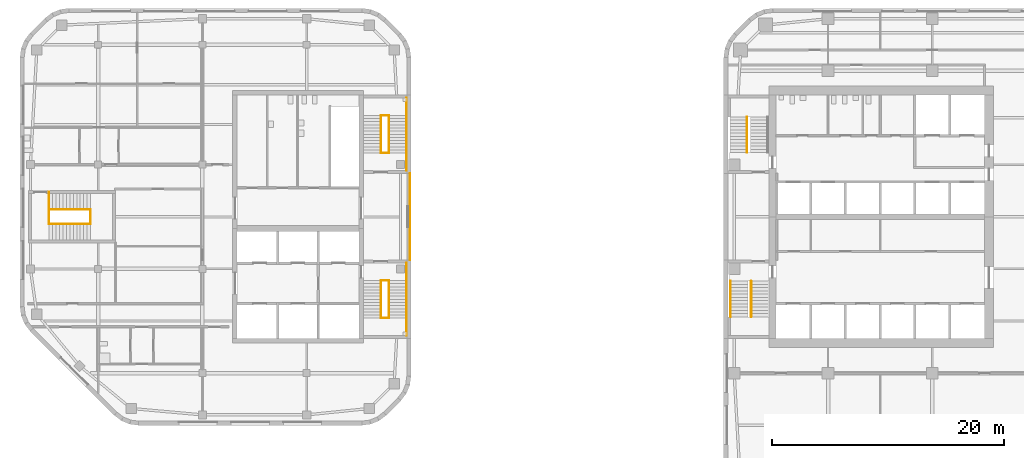
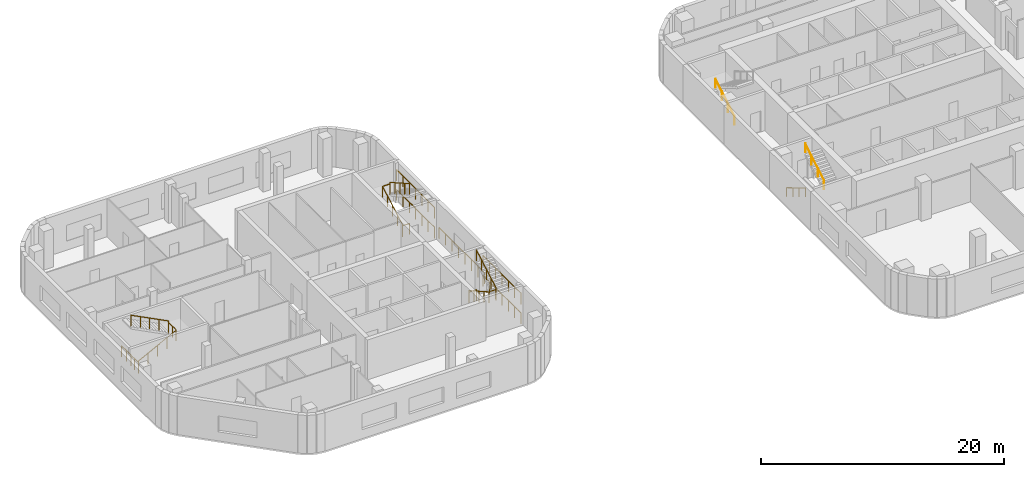
# One storey, part 12 of 14: 21 railings, 2 elements without a shape of their own.
"""IFC4 building model written with IfcOpenShell, lengths in metres."""

from ifc_helpers import new_model, si_unit, direction, frame, origin, origin_2d, place, context, subcontext, project, spatial, circle, extrude, material, type_object, element, aggregate, save


model = new_model("IFC4")

# Units and contexts
model_context = context("Model", 3, precision=1e-05, world=origin(), true_north=direction((0.0, 1.0)))
body_context = subcontext(model_context, "Body", "Model", "MODEL_VIEW")
ifc_project = project(units=[si_unit("LENGTHUNIT", "METRE"), si_unit("AREAUNIT", "SQUARE_METRE"), si_unit("VOLUMEUNIT", "CUBIC_METRE"), si_unit("PLANEANGLEUNIT", "RADIAN"), si_unit("MASSUNIT", "GRAM", prefix="KILO")], contexts=[model_context])

# Site, building, storey
site_placement = place(None, origin())
site = spatial("IfcSite", under=ifc_project, at=site_placement, CompositionType="ELEMENT")
building_placement = place(site_placement, origin())
building = spatial("IfcBuilding", under=site, at=building_placement, Name="Cinnabar Reach Civic Tower", CompositionType="ELEMENT")
storey_placement = place(building_placement, frame((0.0, 0.0, 132.0)))
storey = spatial("IfcBuildingStorey", under=building, at=storey_placement, Name="L31", CompositionType="ELEMENT", Elevation=132.0)

# Stair, railings
ifc_material_1 = material(Name="Concrete C40/50", Category="concrete")
stair_type = type_object("IfcStairType", Name="T1 Exit stair, half-turn", PredefinedType="HALF_TURN_STAIR", material=ifc_material_1)
stair_1_placement = place(storey_placement, origin())
stair_1 = element("IfcStair", 1, at=stair_1_placement, inside=storey, type_object=stair_type, Name="Stair T1-S1", PredefinedType="HALF_TURN_STAIR")
ifc_material_2 = material(Name="Stainless steel tube", Category="steel")
railing_type_1 = type_object("IfcRailingType", Name="T1 Stair handrail, stainless tube 48", PredefinedType="HANDRAIL", material=ifc_material_2)
railing_1_placement = place(storey_placement, frame((0.6, 25.95, 0.1667)))
railing_1 = element("IfcRailing", 2, at=railing_1_placement, type_object=railing_type_1, Name="T1-S1 handrail 1", PredefinedType="HANDRAIL", context=body_context, shape_type="SweptSolid", body=[
    extrude(circle(Radius=0.024, at=origin_2d()), frame((0.0, 0.0, 0.876), z_axis=(0.0, -0.859296971757, 0.511476992962), x_axis=(1.0, 0.0, 0.0)), (0.0, 0.0, 1.0), 3.5843),
    extrude(circle(Radius=0.021, at=origin_2d()), origin(), (0.0, 0.0, 1.0), 0.852),
    extrude(circle(Radius=0.021, at=origin_2d()), frame((0.0, -1.0267, 0.6111)), (0.0, 0.0, 1.0), 0.852),
    extrude(circle(Radius=0.021, at=origin_2d()), frame((0.0, -2.0533, 1.2222)), (0.0, 0.0, 1.0), 0.852),
    extrude(circle(Radius=0.021, at=origin_2d()), frame((0.0, -3.08, 1.8333)), (0.0, 0.0, 1.0), 0.852),
])
railing_2_placement = place(storey_placement, frame((2.375, 22.87, 2.1667)))
railing_2 = element("IfcRailing", 3, at=railing_2_placement, type_object=railing_type_1, Name="T1-S1 handrail 2", PredefinedType="HANDRAIL", context=body_context, shape_type="SweptSolid", body=[
    extrude(circle(Radius=0.024, at=origin_2d()), frame((0.0, 0.0, 0.876), z_axis=(0.0, 0.859296971757, 0.511476992962), x_axis=(-1.0, 0.0, 0.0)), (0.0, 0.0, 1.0), 3.5843),
    extrude(circle(Radius=0.021, at=origin_2d()), origin(), (0.0, 0.0, 1.0), 0.852),
    extrude(circle(Radius=0.021, at=origin_2d()), frame((0.0, 1.0267, 0.6111)), (0.0, 0.0, 1.0), 0.852),
    extrude(circle(Radius=0.021, at=origin_2d()), frame((0.0, 2.0533, 1.2222)), (0.0, 0.0, 1.0), 0.852),
    extrude(circle(Radius=0.021, at=origin_2d()), frame((0.0, 3.08, 1.8333)), (0.0, 0.0, 1.0), 0.852),
])
aggregate(stair_1, [railing_1, railing_2])

# Stair, railing
stair_2_placement = place(storey_placement, origin())
stair_2 = element("IfcStair", 4, at=stair_2_placement, inside=storey, type_object=stair_type, Name="Stair T1-S2", PredefinedType="HALF_TURN_STAIR")
railing_3_placement = place(storey_placement, frame((2.025, 37.05, 0.1667)))
railing_3 = element("IfcRailing", 5, at=railing_3_placement, type_object=railing_type_1, Name="T1-S2 handrail 1", PredefinedType="HANDRAIL", context=body_context, shape_type="SweptSolid", body=[
    extrude(circle(Radius=0.024, at=origin_2d()), frame((0.0, 0.0, 0.876), z_axis=(0.0, 0.859296971757, 0.511476992962), x_axis=(-1.0, 0.0, 0.0)), (0.0, 0.0, 1.0), 3.5843),
    extrude(circle(Radius=0.021, at=origin_2d()), origin(), (0.0, 0.0, 1.0), 0.852),
    extrude(circle(Radius=0.021, at=origin_2d()), frame((0.0, 1.0267, 0.6111)), (0.0, 0.0, 1.0), 0.852),
    extrude(circle(Radius=0.021, at=origin_2d()), frame((0.0, 2.0533, 1.2222)), (0.0, 0.0, 1.0), 0.852),
    extrude(circle(Radius=0.021, at=origin_2d()), frame((0.0, 3.08, 1.8333)), (0.0, 0.0, 1.0), 0.852),
])
aggregate(stair_2, [railing_3])

# Railings
ifc_material_3 = material(Name="Stainless steel", Category="steel")
railing_type_2 = type_object("IfcRailingType", Name="T2 Stair guard 1100", PredefinedType="GUARDRAIL", material=ifc_material_3)
railing_4_placement = place(storey_placement, frame((-27.1, 27.75, 0.0)))
element("IfcRailing", 6, at=railing_4_placement, inside=storey, type_object=railing_type_2, Name="Corridor end guard", PredefinedType="GUARDRAIL", context=body_context, shape_type="SweptSolid", body=[
    extrude(circle(Radius=0.024, at=origin_2d()), frame((0.0, 0.0, 1.076), z_axis=(0.0, 1.0, 0.0), x_axis=(-1.0, 0.0, 0.0)), (0.0, 0.0, 1.0), 7.5),
    extrude(circle(Radius=0.021, at=origin_2d()), origin(), (0.0, 0.0, 1.0), 1.052),
    extrude(circle(Radius=0.021, at=origin_2d()), frame((0.0, 1.0714, 0.0)), (0.0, 0.0, 1.0), 1.052),
    extrude(circle(Radius=0.021, at=origin_2d()), frame((0.0, 2.1429, 0.0)), (0.0, 0.0, 1.0), 1.052),
    extrude(circle(Radius=0.021, at=origin_2d()), frame((0.0, 3.2143, 0.0)), (0.0, 0.0, 1.0), 1.052),
    extrude(circle(Radius=0.021, at=origin_2d()), frame((0.0, 4.2857, 0.0)), (0.0, 0.0, 1.0), 1.052),
    extrude(circle(Radius=0.021, at=origin_2d()), frame((0.0, 5.3571, 0.0)), (0.0, 0.0, 1.0), 1.052),
    extrude(circle(Radius=0.021, at=origin_2d()), frame((0.0, 6.4286, 0.0)), (0.0, 0.0, 1.0), 1.052),
    extrude(circle(Radius=0.021, at=origin_2d()), frame((0.0, 7.5, 0.0)), (0.0, 0.0, 1.0), 1.052),
])
for number, where, name in (
    (7, (-27.4, 21.25, 0.0), "Stair guard 1"),
    (8, (-27.4, 21.25, 2.0), "Stair guard 1"),
):
    element("IfcRailing", number, at=place(storey_placement, frame(where)), inside=storey, type_object=railing_type_2, Name=name, PredefinedType="GUARDRAIL", context=body_context, shape_type="SweptSolid", body=[
        extrude(circle(Radius=0.024, at=origin_2d()), frame((0.0, 0.0, 1.076), z_axis=(0.0, 1.0, 0.0), x_axis=(-1.0, 0.0, 0.0)), (0.0, 0.0, 1.0), 6.25),
        extrude(circle(Radius=0.021, at=origin_2d()), origin(), (0.0, 0.0, 1.0), 1.052),
        extrude(circle(Radius=0.021, at=origin_2d()), frame((0.0, 1.0417, 0.0)), (0.0, 0.0, 1.0), 1.052),
        extrude(circle(Radius=0.021, at=origin_2d()), frame((0.0, 2.0833, 0.0)), (0.0, 0.0, 1.0), 1.052),
        extrude(circle(Radius=0.021, at=origin_2d()), frame((0.0, 3.125, 0.0)), (0.0, 0.0, 1.0), 1.052),
        extrude(circle(Radius=0.021, at=origin_2d()), frame((0.0, 4.1667, 0.0)), (0.0, 0.0, 1.0), 1.052),
        extrude(circle(Radius=0.021, at=origin_2d()), frame((0.0, 5.2083, 0.0)), (0.0, 0.0, 1.0), 1.052),
        extrude(circle(Radius=0.021, at=origin_2d()), frame((0.0, 6.25, 0.0)), (0.0, 0.0, 1.0), 1.052),
    ])
for number, where, name in (
    (9, (-29.6, 26.0, 0.0), "Stair guard 1"),
    (10, (-29.6, 22.75, 2.0), "Stair guard 1"),
):
    element("IfcRailing", number, at=place(storey_placement, frame(where)), inside=storey, type_object=railing_type_2, Name=name, PredefinedType="GUARDRAIL", context=body_context, shape_type="SweptSolid", body=[
        extrude(circle(Radius=0.024, at=origin_2d()), frame((0.0, 0.0, 1.076), z_axis=(1.0, 0.0, 0.0), x_axis=(0.0, 1.0, 0.0)), (0.0, 0.0, 1.0), 0.7),
        extrude(circle(Radius=0.021, at=origin_2d()), origin(), (0.0, 0.0, 1.0), 1.052),
        extrude(circle(Radius=0.021, at=origin_2d()), frame((0.7, 0.0, 0.0)), (0.0, 0.0, 1.0), 1.052),
    ])
railing_5_placement = place(storey_placement, frame((-29.6, 26.0, 0.1538)))
element("IfcRailing", 11, at=railing_5_placement, inside=storey, type_object=railing_type_2, Name="Stair guard 1", PredefinedType="GUARDRAIL", context=body_context, shape_type="SweptSolid", body=[
    extrude(circle(Radius=0.024, at=origin_2d()), frame((0.0, 0.0, 1.076), z_axis=(0.0, -0.869501474428, 0.493930345258), x_axis=(1.0, 0.0, 0.0)), (0.0, 0.0, 1.0), 3.7378),
    extrude(circle(Radius=0.021, at=origin_2d()), origin(), (0.0, 0.0, 1.0), 1.052),
    extrude(circle(Radius=0.021, at=origin_2d()), frame((0.0, -0.8125, 0.4616)), (0.0, 0.0, 1.0), 1.052),
    extrude(circle(Radius=0.021, at=origin_2d()), frame((0.0, -1.625, 0.9231)), (0.0, 0.0, 1.0), 1.052),
    extrude(circle(Radius=0.021, at=origin_2d()), frame((0.0, -2.4375, 1.3847)), (0.0, 0.0, 1.0), 1.052),
    extrude(circle(Radius=0.021, at=origin_2d()), frame((0.0, -3.25, 1.8462)), (0.0, 0.0, 1.0), 1.052),
])
railing_6_placement = place(storey_placement, frame((-28.9, 22.75, 2.1538)))
element("IfcRailing", 12, at=railing_6_placement, inside=storey, type_object=railing_type_2, Name="Stair guard 1", PredefinedType="GUARDRAIL", context=body_context, shape_type="SweptSolid", body=[
    extrude(circle(Radius=0.024, at=origin_2d()), frame((0.0, 0.0, 1.076), z_axis=(0.0, 0.869501474428, 0.493930345258), x_axis=(-1.0, 0.0, 0.0)), (0.0, 0.0, 1.0), 3.7378),
    extrude(circle(Radius=0.021, at=origin_2d()), origin(), (0.0, 0.0, 1.0), 1.052),
    extrude(circle(Radius=0.021, at=origin_2d()), frame((0.0, 0.8125, 0.4616)), (0.0, 0.0, 1.0), 1.052),
    extrude(circle(Radius=0.021, at=origin_2d()), frame((0.0, 1.625, 0.9231)), (0.0, 0.0, 1.0), 1.052),
    extrude(circle(Radius=0.021, at=origin_2d()), frame((0.0, 2.4375, 1.3847)), (0.0, 0.0, 1.0), 1.052),
    extrude(circle(Radius=0.021, at=origin_2d()), frame((0.0, 3.25, 1.8462)), (0.0, 0.0, 1.0), 1.052),
])
for number, where, name in (
    (13, (-27.4, 35.5, 0.0), "Stair guard 2"),
    (14, (-27.4, 35.5, 2.0), "Stair guard 2"),
):
    element("IfcRailing", number, at=place(storey_placement, frame(where)), inside=storey, type_object=railing_type_2, Name=name, PredefinedType="GUARDRAIL", context=body_context, shape_type="SweptSolid", body=[
        extrude(circle(Radius=0.024, at=origin_2d()), frame((0.0, 0.0, 1.076), z_axis=(0.0, 1.0, 0.0), x_axis=(-1.0, 0.0, 0.0)), (0.0, 0.0, 1.0), 6.25),
        extrude(circle(Radius=0.021, at=origin_2d()), origin(), (0.0, 0.0, 1.0), 1.052),
        extrude(circle(Radius=0.021, at=origin_2d()), frame((0.0, 1.0417, 0.0)), (0.0, 0.0, 1.0), 1.052),
        extrude(circle(Radius=0.021, at=origin_2d()), frame((0.0, 2.0833, 0.0)), (0.0, 0.0, 1.0), 1.052),
        extrude(circle(Radius=0.021, at=origin_2d()), frame((0.0, 3.125, 0.0)), (0.0, 0.0, 1.0), 1.052),
        extrude(circle(Radius=0.021, at=origin_2d()), frame((0.0, 4.1667, 0.0)), (0.0, 0.0, 1.0), 1.052),
        extrude(circle(Radius=0.021, at=origin_2d()), frame((0.0, 5.2083, 0.0)), (0.0, 0.0, 1.0), 1.052),
        extrude(circle(Radius=0.021, at=origin_2d()), frame((0.0, 6.25, 0.0)), (0.0, 0.0, 1.0), 1.052),
    ])
for number, where, name in (
    (15, (-29.6, 37.0, 0.0), "Stair guard 2"),
    (16, (-29.6, 40.25, 2.0), "Stair guard 2"),
):
    element("IfcRailing", number, at=place(storey_placement, frame(where)), inside=storey, type_object=railing_type_2, Name=name, PredefinedType="GUARDRAIL", context=body_context, shape_type="SweptSolid", body=[
        extrude(circle(Radius=0.024, at=origin_2d()), frame((0.0, 0.0, 1.076), z_axis=(1.0, 0.0, 0.0), x_axis=(0.0, 1.0, 0.0)), (0.0, 0.0, 1.0), 0.7),
        extrude(circle(Radius=0.021, at=origin_2d()), origin(), (0.0, 0.0, 1.0), 1.052),
        extrude(circle(Radius=0.021, at=origin_2d()), frame((0.7, 0.0, 0.0)), (0.0, 0.0, 1.0), 1.052),
    ])
railing_7_placement = place(storey_placement, frame((-29.6, 37.0, 0.1538)))
element("IfcRailing", 17, at=railing_7_placement, inside=storey, type_object=railing_type_2, Name="Stair guard 2", PredefinedType="GUARDRAIL", context=body_context, shape_type="SweptSolid", body=[
    extrude(circle(Radius=0.024, at=origin_2d()), frame((0.0, 0.0, 1.076), z_axis=(0.0, 0.869501474428, 0.493930345258), x_axis=(-1.0, 0.0, 0.0)), (0.0, 0.0, 1.0), 3.7378),
    extrude(circle(Radius=0.021, at=origin_2d()), origin(), (0.0, 0.0, 1.0), 1.052),
    extrude(circle(Radius=0.021, at=origin_2d()), frame((0.0, 0.8125, 0.4616)), (0.0, 0.0, 1.0), 1.052),
    extrude(circle(Radius=0.021, at=origin_2d()), frame((0.0, 1.625, 0.9231)), (0.0, 0.0, 1.0), 1.052),
    extrude(circle(Radius=0.021, at=origin_2d()), frame((0.0, 2.4375, 1.3847)), (0.0, 0.0, 1.0), 1.052),
    extrude(circle(Radius=0.021, at=origin_2d()), frame((0.0, 3.25, 1.8462)), (0.0, 0.0, 1.0), 1.052),
])
railing_8_placement = place(storey_placement, frame((-28.9, 40.25, 2.1538)))
element("IfcRailing", 18, at=railing_8_placement, inside=storey, type_object=railing_type_2, Name="Stair guard 2", PredefinedType="GUARDRAIL", context=body_context, shape_type="SweptSolid", body=[
    extrude(circle(Radius=0.024, at=origin_2d()), frame((0.0, 0.0, 1.076), z_axis=(0.0, -0.869501474428, 0.493930345258), x_axis=(1.0, 0.0, 0.0)), (0.0, 0.0, 1.0), 3.7378),
    extrude(circle(Radius=0.021, at=origin_2d()), origin(), (0.0, 0.0, 1.0), 1.052),
    extrude(circle(Radius=0.021, at=origin_2d()), frame((0.0, -0.8125, 0.4616)), (0.0, 0.0, 1.0), 1.052),
    extrude(circle(Radius=0.021, at=origin_2d()), frame((0.0, -1.625, 0.9231)), (0.0, 0.0, 1.0), 1.052),
    extrude(circle(Radius=0.021, at=origin_2d()), frame((0.0, -2.4375, 1.3847)), (0.0, 0.0, 1.0), 1.052),
    extrude(circle(Radius=0.021, at=origin_2d()), frame((0.0, -3.25, 1.8462)), (0.0, 0.0, 1.0), 1.052),
])
railing_9_placement = place(storey_placement, frame((-58.25, 30.875, 0.0)))
element("IfcRailing", 19, at=railing_9_placement, inside=storey, type_object=railing_type_2, Name="Stair guard 3", PredefinedType="GUARDRAIL", context=body_context, shape_type="SweptSolid", body=[
    extrude(circle(Radius=0.024, at=origin_2d()), frame((0.0, 0.0, 1.076), z_axis=(0.0, 1.0, 0.0), x_axis=(-1.0, 0.0, 0.0)), (0.0, 0.0, 1.0), 1.25),
    extrude(circle(Radius=0.021, at=origin_2d()), origin(), (0.0, 0.0, 1.0), 1.052),
    extrude(circle(Radius=0.021, at=origin_2d()), frame((0.0, 0.625, 0.0)), (0.0, 0.0, 1.0), 1.052),
    extrude(circle(Radius=0.021, at=origin_2d()), frame((0.0, 1.25, 0.0)), (0.0, 0.0, 1.0), 1.052),
])
railing_10_placement = place(storey_placement, frame((-58.25, 32.125, 0.0)))
element("IfcRailing", 20, at=railing_10_placement, inside=storey, type_object=railing_type_2, Name="Stair guard 3", PredefinedType="GUARDRAIL", context=body_context, shape_type="SweptSolid", body=[
    extrude(circle(Radius=0.024, at=origin_2d()), frame((0.0, 0.0, 1.076), z_axis=(0.0, 1.0, 0.0), x_axis=(-1.0, 0.0, 0.0)), (0.0, 0.0, 1.0), 1.5),
    extrude(circle(Radius=0.021, at=origin_2d()), origin(), (0.0, 0.0, 1.0), 1.052),
    extrude(circle(Radius=0.021, at=origin_2d()), frame((0.0, 0.75, 0.0)), (0.0, 0.0, 1.0), 1.052),
    extrude(circle(Radius=0.021, at=origin_2d()), frame((0.0, 1.5, 0.0)), (0.0, 0.0, 1.0), 1.052),
])
railing_11_placement = place(storey_placement, frame((-54.65, 30.875, 2.0)))
element("IfcRailing", 21, at=railing_11_placement, inside=storey, type_object=railing_type_2, Name="Stair guard 3", PredefinedType="GUARDRAIL", context=body_context, shape_type="SweptSolid", body=[
    extrude(circle(Radius=0.024, at=origin_2d()), frame((0.0, 0.0, 1.076), z_axis=(0.0, 1.0, 0.0), x_axis=(-1.0, 0.0, 0.0)), (0.0, 0.0, 1.0), 1.25),
    extrude(circle(Radius=0.021, at=origin_2d()), origin(), (0.0, 0.0, 1.0), 1.052),
    extrude(circle(Radius=0.021, at=origin_2d()), frame((0.0, 0.625, 0.0)), (0.0, 0.0, 1.0), 1.052),
    extrude(circle(Radius=0.021, at=origin_2d()), frame((0.0, 1.25, 0.0)), (0.0, 0.0, 1.0), 1.052),
])
railing_12_placement = place(storey_placement, frame((-58.25, 30.875, 0.1538)))
element("IfcRailing", 22, at=railing_12_placement, inside=storey, type_object=railing_type_2, Name="Stair guard 3", PredefinedType="GUARDRAIL", context=body_context, shape_type="SweptSolid", body=[
    extrude(circle(Radius=0.024, at=origin_2d()), frame((0.0, 0.0, 1.076), z_axis=(0.889812830738, 0.0, 0.45632568003), x_axis=(0.0, 1.0, 0.0)), (0.0, 0.0, 1.0), 4.0458),
    extrude(circle(Radius=0.021, at=origin_2d()), origin(), (0.0, 0.0, 1.0), 1.052),
    extrude(circle(Radius=0.021, at=origin_2d()), frame((0.9, 0.0, 0.4616)), (0.0, 0.0, 1.0), 1.052),
    extrude(circle(Radius=0.021, at=origin_2d()), frame((1.8, 0.0, 0.9231)), (0.0, 0.0, 1.0), 1.052),
    extrude(circle(Radius=0.021, at=origin_2d()), frame((2.7, 0.0, 1.3847)), (0.0, 0.0, 1.0), 1.052),
    extrude(circle(Radius=0.021, at=origin_2d()), frame((3.6, 0.0, 1.8462)), (0.0, 0.0, 1.0), 1.052),
])
railing_13_placement = place(storey_placement, frame((-54.65, 32.125, 2.1538)))
element("IfcRailing", 23, at=railing_13_placement, inside=storey, type_object=railing_type_2, Name="Stair guard 3", PredefinedType="GUARDRAIL", context=body_context, shape_type="SweptSolid", body=[
    extrude(circle(Radius=0.024, at=origin_2d()), frame((0.0, 0.0, 1.076), z_axis=(-0.889812830738, 0.0, 0.45632568003), x_axis=(0.0, -1.0, 0.0)), (0.0, 0.0, 1.0), 4.0458),
    extrude(circle(Radius=0.021, at=origin_2d()), origin(), (0.0, 0.0, 1.0), 1.052),
    extrude(circle(Radius=0.021, at=origin_2d()), frame((-0.9, 0.0, 0.4616)), (0.0, 0.0, 1.0), 1.052),
    extrude(circle(Radius=0.021, at=origin_2d()), frame((-1.8, 0.0, 0.9231)), (0.0, 0.0, 1.0), 1.052),
    extrude(circle(Radius=0.021, at=origin_2d()), frame((-2.7, 0.0, 1.3847)), (0.0, 0.0, 1.0), 1.052),
    extrude(circle(Radius=0.021, at=origin_2d()), frame((-3.6, 0.0, 1.8462)), (0.0, 0.0, 1.0), 1.052),
])

save(model, "model.ifc")
